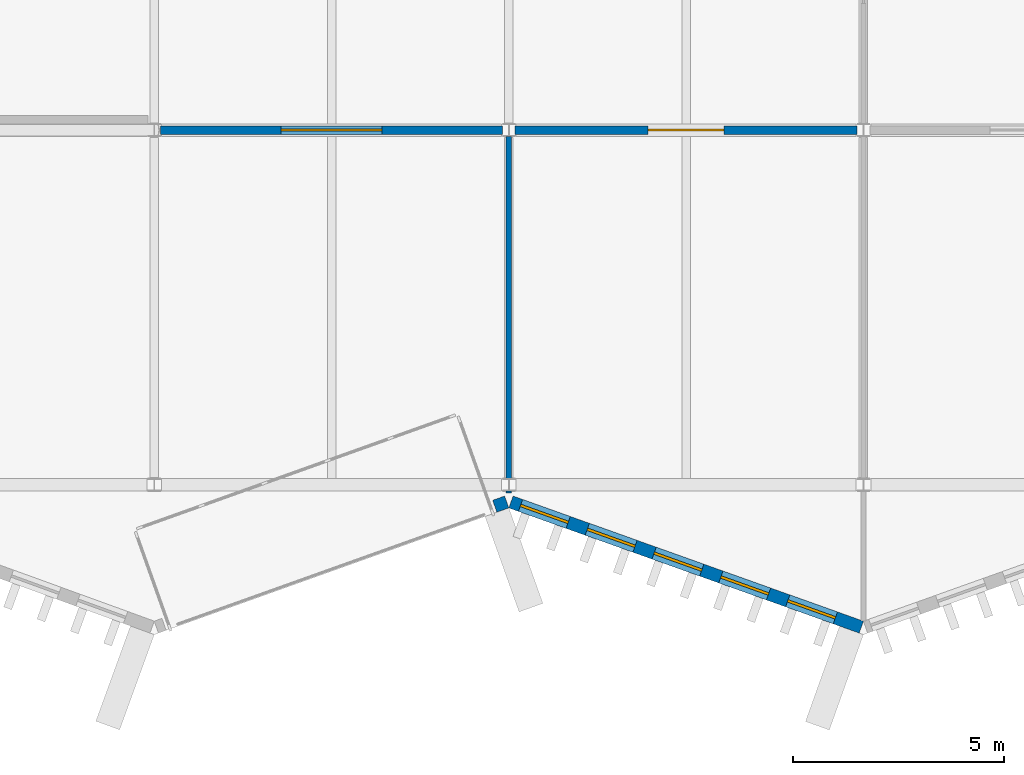
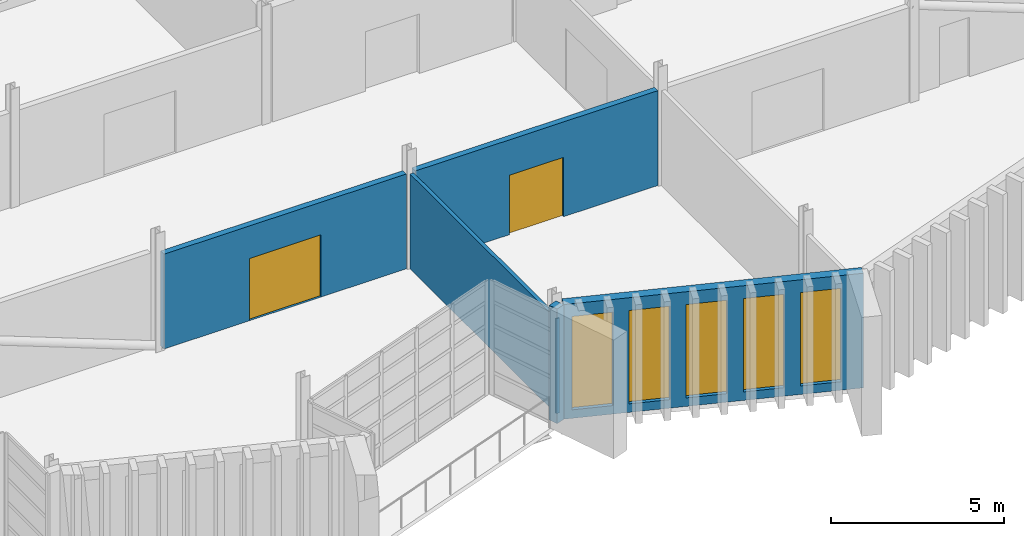
# One storey, part 59 of 100: 6 walls, 5 windows, 2 doors, 7 openings.
"""IFC4 building model written with IfcOpenShell, lengths in metres."""

import ifcopenshell
import ifcopenshell.guid

model = None  # the IFC model being written
_history = None  # IfcOwnerHistory: only IFC2X3 demands one
_inside = {}  # id of a spatial element -> (the spatial element, [elements in it])
_under = {}  # id of a project, library or spatial element -> (it, [spatial elements below it])
_declared = {}  # id of a project -> (the project, [libraries it declares])
_typed = {}  # id of a type object -> (the type object, [elements of that type])
_made_of = {}  # id of a material, layer set ... -> (it, [elements and type objects made of it])


def new_model(schema):
    """Start an empty IFC model of exactly this schema.

    Asked for "IFC4X3", IfcOpenShell would pick the latest addendum, in which some entities
    have other attributes; the version numbers below select the first issue.
    IFC2X3 requires an IfcOwnerHistory on every rooted entity: one is made here for all.
    """
    global model, _history
    if schema == "IFC4X3":
        model = ifcopenshell.file(schema_version=(4, 3, 0, 0))
    else:
        model = ifcopenshell.file(schema=schema)
    _inside.clear()
    _under.clear()
    _declared.clear()
    _typed.clear()
    _made_of.clear()
    _history = None
    if model.schema == "IFC2X3":
        org = make("IfcOrganization", Name="unknown")
        user = make(
            "IfcPersonAndOrganization",
            ThePerson=make("IfcPerson", FamilyName="unknown"),
            TheOrganization=org,
        )
        app = make(
            "IfcApplication",
            ApplicationDeveloper=org,
            Version="unknown",
            ApplicationFullName="unknown",
            ApplicationIdentifier="unknown",
        )
        _history = make(
            "IfcOwnerHistory",
            OwningUser=user,
            OwningApplication=app,
            ChangeAction="ADDED",
            CreationDate=0,
        )
    return model


def make(cls, **values):
    """One entity of the class cls with the attributes given. An attribute that is None is left unset."""
    return model.create_entity(
        cls, **{name: value for name, value in values.items() if value is not None}
    )


def rooted(cls, **values):
    """An entity with a GlobalId (a new one), such as an element, a storey or a relation."""
    return make(cls, GlobalId=ifcopenshell.guid.new(), OwnerHistory=_history, **values)


def si_unit(unit_type, name, prefix=None):
    """IfcSIUnit, for example si_unit("LENGTHUNIT", "METRE", prefix="MILLI")."""
    return make("IfcSIUnit", UnitType=unit_type, Prefix=prefix, Name=name)


def assignment(units):
    """IfcUnitAssignment: the units of a project."""
    return None if units is None else make("IfcUnitAssignment", Units=units)


def point(xyz):
    """IfcCartesianPoint."""
    return None if xyz is None else make("IfcCartesianPoint", Coordinates=xyz)


def direction(xyz):
    """IfcDirection."""
    return None if xyz is None else make("IfcDirection", DirectionRatios=xyz)


def frame(location, z_axis=None, x_axis=None):
    """IfcAxis2Placement3D, a coordinate frame: its origin and axes. An axis left out is left unset."""
    return make(
        "IfcAxis2Placement3D",
        Location=point(location),
        Axis=direction(z_axis),
        RefDirection=direction(x_axis),
    )


def frame_2d(location, x_axis=None):
    """IfcAxis2Placement2D, a coordinate frame in the plane: its origin and x axis."""
    return make(
        "IfcAxis2Placement2D", Location=point(location), RefDirection=direction(x_axis)
    )


def origin():
    """The frame at (0, 0, 0) with its axes left unset."""
    return frame((0.0, 0.0, 0.0))


def place(relative_to, where):
    """IfcLocalPlacement: puts the frame where relative to a parent placement (None: the world)."""
    return make(
        "IfcLocalPlacement", PlacementRelTo=relative_to, RelativePlacement=where
    )


def context(
    kind, dimensions, precision=None, world=None, true_north=None, identifier=None
):
    """IfcGeometricRepresentationContext, for example the 3D "Model" context."""
    return make(
        "IfcGeometricRepresentationContext",
        ContextIdentifier=identifier,
        ContextType=kind,
        CoordinateSpaceDimension=dimensions,
        Precision=precision,
        WorldCoordinateSystem=world,
        TrueNorth=true_north,
    )


def subcontext(parent, identifier, kind, view, scale=None):
    """IfcGeometricRepresentationSubContext, for example "Body" below "Model"."""
    return make(
        "IfcGeometricRepresentationSubContext",
        ContextIdentifier=identifier,
        ContextType=kind,
        ParentContext=parent,
        TargetScale=scale,
        TargetView=view,
    )


def project(units=None, contexts=None):
    """IfcProject with its units and contexts."""
    return rooted(
        "IfcProject",
        Name="project",
        RepresentationContexts=contexts,
        UnitsInContext=assignment(units),
    )


def spatial(cls, under=None, at=None, **own):
    """A site, building, storey or space (cls), placed at a placement, below another one or the project."""
    s = rooted(cls, ObjectPlacement=at, **own)
    if under is not None:
        _under.setdefault(under.id(), (under, []))[1].append(s)
    return s


def profile(cls, at=None, kind="AREA", **sizes):
    """A parametric profile (cls). Its sizes go by their IFC names, for example OverallWidth=200.0."""
    return make(cls, ProfileType=kind, Position=at, **sizes)


def rectangle(**sizes):
    """IfcRectangleProfileDef."""
    return profile("IfcRectangleProfileDef", **sizes)


def extrude(swept, where, along, depth):
    """IfcExtrudedAreaSolid: the profile swept, set in the frame where, extruded along a direction by depth."""
    return make(
        "IfcExtrudedAreaSolid",
        SweptArea=swept,
        Position=where,
        ExtrudedDirection=direction(along),
        Depth=depth,
    )


def shape(context_of_items, identifier, shape_type, items):
    """IfcShapeRepresentation: the items that make up one representation, for example the "Body"."""
    return make(
        "IfcShapeRepresentation",
        ContextOfItems=context_of_items,
        RepresentationIdentifier=identifier,
        RepresentationType=shape_type,
        Items=items,
    )


def material(Name=None, Category=None):
    """IfcMaterial."""
    return make("IfcMaterial", Name=Name, Category=Category)


def layer(
    of_material, thickness, ventilated=None, Name=None, Category=None, Priority=None
):
    """IfcMaterialLayer: one layer of a wall or slab, of a material (None: an air gap)."""
    return make(
        "IfcMaterialLayer",
        Material=of_material,
        LayerThickness=thickness,
        IsVentilated=ventilated,
        Name=Name,
        Category=Category,
        Priority=Priority,
    )


def layer_set(layers, Name=None):
    """IfcMaterialLayerSet."""
    return make("IfcMaterialLayerSet", MaterialLayers=layers, LayerSetName=Name)


def made_of(thing, what):
    """Note that an element or type object is made of a material, layer set ...; save() writes the relation."""
    if what is not None:
        _made_of.setdefault(what.id(), (what, []))[1].append(thing)
    return thing


def type_object(cls, material=None, **own):
    """A type object (cls), such as IfcWallType, which elements share."""
    return made_of(rooted(cls, **own), material)


def element(
    cls,
    number,
    at=None,
    inside=None,
    cuts=None,
    type_object=None,
    material=None,
    context=None,
    identifier="Body",
    shape_type=None,
    held_by="IfcProductDefinitionShape",
    body=None,
    shapes=None,
    **own,
):
    """One element of the class cls, such as IfcWall. Its Tag is "e" and its number.

    at: its placement. inside: the storey or other place that contains it. cuts: it is an
    opening in that element (IfcRelVoidsElement). A single representation is given by context,
    identifier, shape_type and body (its items); several are given by shapes. held_by: the class
    of the entity that holds the representations. save() writes the other relations.
    """
    e = rooted(cls, Tag="e%d" % number, ObjectPlacement=at, **own)
    if body is not None:
        shapes = [shape(context, identifier, shape_type, body)]
    if shapes is not None:
        e.Representation = make(held_by, Representations=shapes)
    if inside is not None:
        _inside.setdefault(inside.id(), (inside, []))[1].append(e)
    if cuts is not None:
        rooted(
            "IfcRelVoidsElement", RelatingBuildingElement=cuts, RelatedOpeningElement=e
        )
    if type_object is not None:
        _typed.setdefault(type_object.id(), (type_object, []))[1].append(e)
    return made_of(e, material)


def fill(opening, filler):
    """IfcRelFillsElement: the door or window that sits in an opening."""
    return rooted(
        "IfcRelFillsElement",
        RelatingOpeningElement=opening,
        RelatedBuildingElement=filler,
    )


def aggregate(whole, parts):
    """IfcRelAggregates: a whole, such as a stair, and the parts it consists of."""
    return rooted("IfcRelAggregates", RelatingObject=whole, RelatedObjects=parts)


def save(model, path):
    """Write the relations noted so far, then the file.

    IfcRelAggregates (storeys below a building ...), IfcRelContainedInSpatialStructure (elements
    in a storey), IfcRelDefinesByType, IfcRelAssociatesMaterial and IfcRelDeclares: one each for
    every whole, place, type object, material and project.
    """
    for whole, parts in _under.values():
        aggregate(whole, parts)
    for where, things in _inside.values():
        rooted(
            "IfcRelContainedInSpatialStructure",
            RelatedElements=things,
            RelatingStructure=where,
        )
    for kind, things in _typed.values():
        rooted("IfcRelDefinesByType", RelatedObjects=things, RelatingType=kind)
    for what, things in _made_of.values():
        rooted("IfcRelAssociatesMaterial", RelatedObjects=things, RelatingMaterial=what)
    for by, libraries in _declared.values():
        rooted("IfcRelDeclares", RelatingContext=by, RelatedDefinitions=libraries)
    model.write(path)


model = new_model("IFC4")

# Units and contexts
model_context = context("Model", 3, precision=1e-05, world=origin(), true_north=direction((0.0, 1.0)))
body_context = subcontext(model_context, "Body", "Model", "MODEL_VIEW")
ifc_project = project(units=[si_unit("LENGTHUNIT", "METRE"), si_unit("AREAUNIT", "SQUARE_METRE"), si_unit("VOLUMEUNIT", "CUBIC_METRE"), si_unit("PLANEANGLEUNIT", "RADIAN"), si_unit("MASSUNIT", "GRAM", prefix="KILO")], contexts=[model_context])

# Site, building, storey
site_placement = place(None, origin())
site = spatial("IfcSite", under=ifc_project, at=site_placement, CompositionType="ELEMENT")
building_placement = place(site_placement, origin())
building = spatial("IfcBuilding", under=site, at=building_placement, Name="Cresset Court Congress Hotel", CompositionType="ELEMENT")
storey_placement = place(building_placement, frame((0.0, 0.0, 10.199951171875)))
storey = spatial("IfcBuildingStorey", under=building, at=storey_placement, Name="L02", CompositionType="ELEMENT", Elevation=10.199951171875)

# Wall
ifc_material_1 = material(Name="Concrete C40", Category="concrete")
ifc_layer_1 = layer(ifc_material_1, 0.300048828125)
ifc_layer_set_1 = layer_set([ifc_layer_1], Name="External wall 300 Concrete C40")
wall_type_1 = type_object("IfcWallType", Name="External wall 300 Concrete C40", PredefinedType="SOLIDWALL", material=ifc_layer_set_1)
wall_1_placement = place(storey_placement, frame((33.26708984375, -0.509521484375, 0.0), z_axis=(0.0, 0.0, 1.0), x_axis=(0.941797147708, 0.336181695768, 0.0)))
element("IfcWall", 1, at=wall_1_placement, inside=storey, type_object=wall_type_1, Name="External wall", PredefinedType="SOLIDWALL", context=body_context, shape_type="SweptSolid", body=[
    extrude(rectangle(XDim=0.300048828125, YDim=0.300048828125, at=frame_2d((0.14990234375, 0.0))), origin(), (0.0, 0.0, 1.0), 4.050048828125),
])

# Wall, openings, windows
wall_2_placement = place(storey_placement, frame((33.650390625, -0.40869140625, 0.0), z_axis=(0.0, 0.0, 1.0), x_axis=(0.941736270411, -0.336352191894, 0.0)))
wall_2 = element("IfcWall", 2, at=wall_2_placement, inside=storey, type_object=wall_type_1, Name="External wall", PredefinedType="SOLIDWALL", context=body_context, shape_type="SweptSolid", body=[
    extrude(rectangle(XDim=8.8125, YDim=0.300048828125, at=frame_2d((4.40625, 0.0))), origin(), (0.0, 0.0, 1.0), 4.050048828125),
])
opening_1_placement = place(wall_2_placement, frame((0.239990234375, 0.0, 0.300048828125)))
opening_1 = element("IfcOpeningElement", 3, at=opening_1_placement, cuts=wall_2, Name="Opening NB-02-19", PredefinedType="OPENING", context=body_context, shape_type="SweptSolid", body=[
    extrude(rectangle(XDim=1.199951171875, YDim=3.300048828125, at=frame_2d((0.60009765625, 1.64990234375))), frame((0.0, 0.159912109375, 0.0), z_axis=(0.0, -1.0, 0.0), x_axis=(1.0, 0.0, 0.0)), (0.0, 0.0, 1.0), 0.320068359375),
])
opening_2_placement = place(wall_2_placement, frame((1.919921875, 0.0, 0.300048828125)))
opening_2 = element("IfcOpeningElement", 4, at=opening_2_placement, cuts=wall_2, Name="Opening NB-02-20", PredefinedType="OPENING", context=body_context, shape_type="SweptSolid", body=[
    extrude(rectangle(XDim=1.199951171875, YDim=3.300048828125, at=frame_2d((0.60009765625, 1.64990234375))), frame((0.0, 0.159912109375, 0.0), z_axis=(0.0, -1.0, 0.0), x_axis=(1.0, 0.0, 0.0)), (0.0, 0.0, 1.0), 0.320068359375),
])
opening_3_placement = place(wall_2_placement, frame((3.60009765625, 0.0, 0.300048828125)))
opening_3 = element("IfcOpeningElement", 5, at=opening_3_placement, cuts=wall_2, Name="Opening NB-02-21", PredefinedType="OPENING", context=body_context, shape_type="SweptSolid", body=[
    extrude(rectangle(XDim=1.199951171875, YDim=3.300048828125, at=frame_2d((0.60009765625, 1.64990234375))), frame((0.0, 0.159912109375, 0.0), z_axis=(0.0, -1.0, 0.0), x_axis=(1.0, 0.0, 0.0)), (0.0, 0.0, 1.0), 0.320068359375),
])
opening_4_placement = place(wall_2_placement, frame((5.280029296875, 0.0, 0.300048828125)))
opening_4 = element("IfcOpeningElement", 6, at=opening_4_placement, cuts=wall_2, Name="Opening NB-02-22", PredefinedType="OPENING", context=body_context, shape_type="SweptSolid", body=[
    extrude(rectangle(XDim=1.199951171875, YDim=3.300048828125, at=frame_2d((0.60009765625, 1.64990234375))), frame((0.0, 0.159912109375, 0.0), z_axis=(0.0, -1.0, 0.0), x_axis=(1.0, 0.0, 0.0)), (0.0, 0.0, 1.0), 0.320068359375),
])
opening_5_placement = place(wall_2_placement, frame((6.9599609375, 0.0, 0.300048828125)))
opening_5 = element("IfcOpeningElement", 7, at=opening_5_placement, cuts=wall_2, Name="Opening NB-02-23", PredefinedType="OPENING", context=body_context, shape_type="SweptSolid", body=[
    extrude(rectangle(XDim=1.199951171875, YDim=3.300048828125, at=frame_2d((0.60009765625, 1.64990234375))), frame((0.0, 0.159912109375, 0.0), z_axis=(0.0, -1.0, 0.0), x_axis=(1.0, 0.0, 0.0)), (0.0, 0.0, 1.0), 0.320068359375),
])
ifc_material_2 = material(Name="Aluminium frame with double glazing", Category="aluminium")
window_type = type_object("IfcWindowType", Name="Window 1200x3300", PartitioningType="TRIPLE_PANEL_VERTICAL", PredefinedType="WINDOW", material=ifc_material_2)
window_1_placement = place(opening_1_placement, origin())
window_1 = element("IfcWindow", 8, at=window_1_placement, inside=storey, type_object=window_type, Name="Window NB-02-19", OverallHeight=3.300048828125, OverallWidth=1.199951171875, PartitioningType="TRIPLE_PANEL_VERTICAL", PredefinedType="WINDOW", context=body_context, shape_type="SweptSolid", body=[
    extrude(rectangle(XDim=1.199951171875, YDim=3.300048828125, at=frame_2d((0.60009765625, 1.64990234375))), frame((0.0, 0.030029296875, 0.0), z_axis=(0.0, -1.0, 0.0), x_axis=(1.0, 0.0, 0.0)), (0.0, 0.0, 1.0), 0.06005859375),
])
fill(opening_1, window_1)
window_2_placement = place(opening_2_placement, origin())
window_2 = element("IfcWindow", 9, at=window_2_placement, inside=storey, type_object=window_type, Name="Window NB-02-20", OverallHeight=3.300048828125, OverallWidth=1.199951171875, PartitioningType="TRIPLE_PANEL_VERTICAL", PredefinedType="WINDOW", context=body_context, shape_type="SweptSolid", body=[
    extrude(rectangle(XDim=1.199951171875, YDim=3.300048828125, at=frame_2d((0.60009765625, 1.64990234375))), frame((0.0, 0.030029296875, 0.0), z_axis=(0.0, -1.0, 0.0), x_axis=(1.0, 0.0, 0.0)), (0.0, 0.0, 1.0), 0.06005859375),
])
fill(opening_2, window_2)
window_3_placement = place(opening_3_placement, origin())
window_3 = element("IfcWindow", 10, at=window_3_placement, inside=storey, type_object=window_type, Name="Window NB-02-21", OverallHeight=3.300048828125, OverallWidth=1.199951171875, PartitioningType="TRIPLE_PANEL_VERTICAL", PredefinedType="WINDOW", context=body_context, shape_type="SweptSolid", body=[
    extrude(rectangle(XDim=1.199951171875, YDim=3.300048828125, at=frame_2d((0.60009765625, 1.64990234375))), frame((0.0, 0.030029296875, 0.0), z_axis=(0.0, -1.0, 0.0), x_axis=(1.0, 0.0, 0.0)), (0.0, 0.0, 1.0), 0.06005859375),
])
fill(opening_3, window_3)
window_4_placement = place(opening_4_placement, origin())
window_4 = element("IfcWindow", 11, at=window_4_placement, inside=storey, type_object=window_type, Name="Window NB-02-22", OverallHeight=3.300048828125, OverallWidth=1.199951171875, PartitioningType="TRIPLE_PANEL_VERTICAL", PredefinedType="WINDOW", context=body_context, shape_type="SweptSolid", body=[
    extrude(rectangle(XDim=1.199951171875, YDim=3.300048828125, at=frame_2d((0.60009765625, 1.64990234375))), frame((0.0, 0.030029296875, 0.0), z_axis=(0.0, -1.0, 0.0), x_axis=(1.0, 0.0, 0.0)), (0.0, 0.0, 1.0), 0.06005859375),
])
fill(opening_4, window_4)
window_5_placement = place(opening_5_placement, origin())
window_5 = element("IfcWindow", 12, at=window_5_placement, inside=storey, type_object=window_type, Name="Window NB-02-23", OverallHeight=3.300048828125, OverallWidth=1.199951171875, PartitioningType="TRIPLE_PANEL_VERTICAL", PredefinedType="WINDOW", context=body_context, shape_type="SweptSolid", body=[
    extrude(rectangle(XDim=1.199951171875, YDim=3.300048828125, at=frame_2d((0.60009765625, 1.64990234375))), frame((0.0, 0.030029296875, 0.0), z_axis=(0.0, -1.0, 0.0), x_axis=(1.0, 0.0, 0.0)), (0.0, 0.0, 1.0), 0.06005859375),
])
fill(opening_5, window_5)

# Wall, opening, door
ifc_material_3 = material(Name="Gypsum board on steel studs", Category="steel")
ifc_layer_2 = layer(ifc_material_3, 0.199951171875)
ifc_layer_set_2 = layer_set([ifc_layer_2], Name="Foyer wall 200")
wall_type_2 = type_object("IfcWallType", Name="Foyer wall 200", PredefinedType="PARTITIONING", material=ifc_layer_set_2)
wall_3_placement = place(storey_placement, frame((25.35009765625, 8.39990234375, 0.0), z_axis=(0.0, 0.0, 1.0), x_axis=(1.0, 0.0, 0.0)))
wall_3 = element("IfcWall", 13, at=wall_3_placement, inside=storey, type_object=wall_type_2, Name="Foyer wall", PredefinedType="PARTITIONING", context=body_context, shape_type="SweptSolid", body=[
    extrude(rectangle(XDim=8.099853515625, YDim=0.199951171875, at=frame_2d((4.0498046875, 0.0))), origin(), (0.0, 0.0, 1.0), 3.35009765625),
])
opening_6_placement = place(wall_3_placement, frame((2.85009765625, 0.0, 0.0)))
opening_6 = element("IfcOpeningElement", 14, at=opening_6_placement, cuts=wall_3, Name="Opening DB-02-02", PredefinedType="OPENING", context=body_context, shape_type="SweptSolid", body=[
    extrude(rectangle(XDim=2.39990234375, YDim=2.199951171875, at=frame_2d((1.199951171875, 1.10009765625))), frame((0.0, 0.10986328125, 0.0), z_axis=(0.0, -1.0, 0.0), x_axis=(1.0, 0.0, 0.0)), (0.0, 0.0, 1.0), 0.219970703125),
])
ifc_material_4 = material(Name="Timber and steel frame", Category="steel")
door_type_1 = type_object("IfcDoorType", Name="Fire door FD30 double 2400x2200", OperationType="DOUBLE_DOOR_SINGLE_SWING", PredefinedType="DOOR", material=ifc_material_4)
door_1_placement = place(opening_6_placement, origin())
door_1 = element("IfcDoor", 15, at=door_1_placement, inside=storey, type_object=door_type_1, Name="Meeting Room door", OperationType="DOUBLE_DOOR_SINGLE_SWING", OverallHeight=2.199951171875, OverallWidth=2.39990234375, PredefinedType="DOOR", context=body_context, shape_type="SweptSolid", body=[
    extrude(rectangle(XDim=2.39990234375, YDim=2.199951171875, at=frame_2d((1.199951171875, 1.10009765625))), frame((0.0, 0.02490234375, 0.0), z_axis=(0.0, -1.0, 0.0), x_axis=(1.0, 0.0, 0.0)), (0.0, 0.0, 1.0), 0.050048828125),
])
fill(opening_6, door_1)

wall_4_placement = place(storey_placement, frame((33.75, 8.39990234375, 0.0), z_axis=(0.0, 0.0, 1.0), x_axis=(1.0, 0.0, 0.0)))
wall_4 = element("IfcWall", 16, at=wall_4_placement, inside=storey, type_object=wall_type_2, Name="Foyer wall", PredefinedType="PARTITIONING", context=body_context, shape_type="SweptSolid", body=[
    extrude(rectangle(XDim=8.10009765625, YDim=0.199951171875, at=frame_2d((4.050048828125, 0.0))), origin(), (0.0, 0.0, 1.0), 3.35009765625),
])
opening_7_placement = place(wall_4_placement, frame((3.14990234375, 0.0, 0.0)))
opening_7 = element("IfcOpeningElement", 17, at=opening_7_placement, cuts=wall_4, Name="Opening DB-02-03", PredefinedType="OPENING", context=body_context, shape_type="SweptSolid", body=[
    extrude(rectangle(XDim=1.800048828125, YDim=2.10009765625, at=frame_2d((0.89990234375, 1.050048828125))), frame((0.0, 0.10986328125, 0.0), z_axis=(0.0, -1.0, 0.0), x_axis=(1.0, 0.0, 0.0)), (0.0, 0.0, 1.0), 0.219970703125),
])
ifc_material_5 = material(Name="Timber and steel frame", Category="steel")
door_type_2 = type_object("IfcDoorType", Name="Fire door FD30 double 1800x2100", OperationType="DOUBLE_DOOR_SINGLE_SWING", PredefinedType="DOOR", material=ifc_material_5)
door_2_placement = place(opening_7_placement, origin())
door_2 = element("IfcDoor", 18, at=door_2_placement, inside=storey, type_object=door_type_2, Name="Meeting Room door", OperationType="DOUBLE_DOOR_SINGLE_SWING", OverallHeight=2.10009765625, OverallWidth=1.800048828125, PredefinedType="DOOR", context=body_context, shape_type="SweptSolid", body=[
    extrude(rectangle(XDim=1.800048828125, YDim=2.10009765625, at=frame_2d((0.89990234375, 1.050048828125))), frame((0.0, 0.02490234375, 0.0), z_axis=(0.0, -1.0, 0.0), x_axis=(1.0, 0.0, 0.0)), (0.0, 0.0, 1.0), 0.050048828125),
])
fill(opening_7, door_2)

# Walls
ifc_material_6 = material(Name="Laminated timber panels", Category="wood")
ifc_layer_3 = layer(ifc_material_6, 0.125)
ifc_layer_set_3 = layer_set([ifc_layer_3], Name="Operable partition 125")
wall_type_3 = type_object("IfcWallType", Name="Operable partition 125", PredefinedType="MOVABLE", material=ifc_layer_set_3)
wall_5_placement = place(storey_placement, frame((33.60009765625, -0.199951171875, 0.0), z_axis=(0.0, 0.0, 1.0), x_axis=(0.0, 1.0, 0.0)))
element("IfcWall", 19, at=wall_5_placement, inside=storey, type_object=wall_type_3, Name="Operable partition", PredefinedType="MOVABLE", context=body_context, shape_type="SweptSolid", body=[
    extrude(rectangle(XDim=0.050048828125, YDim=0.125, at=frame_2d((0.02490234375, 0.0))), origin(), (0.0, 0.0, 1.0), 3.35009765625),
])
wall_6_placement = place(storey_placement, frame((33.60009765625, 0.14990234375, 0.0), z_axis=(0.0, 0.0, 1.0), x_axis=(0.0, 1.0, 0.0)))
element("IfcWall", 20, at=wall_6_placement, inside=storey, type_object=wall_type_3, Name="Operable partition", PredefinedType="MOVABLE", context=body_context, shape_type="SweptSolid", body=[
    extrude(rectangle(XDim=8.10009765625, YDim=0.125, at=frame_2d((4.050048828125, 0.0))), origin(), (0.0, 0.0, 1.0), 3.35009765625),
])

save(model, "model.ifc")
